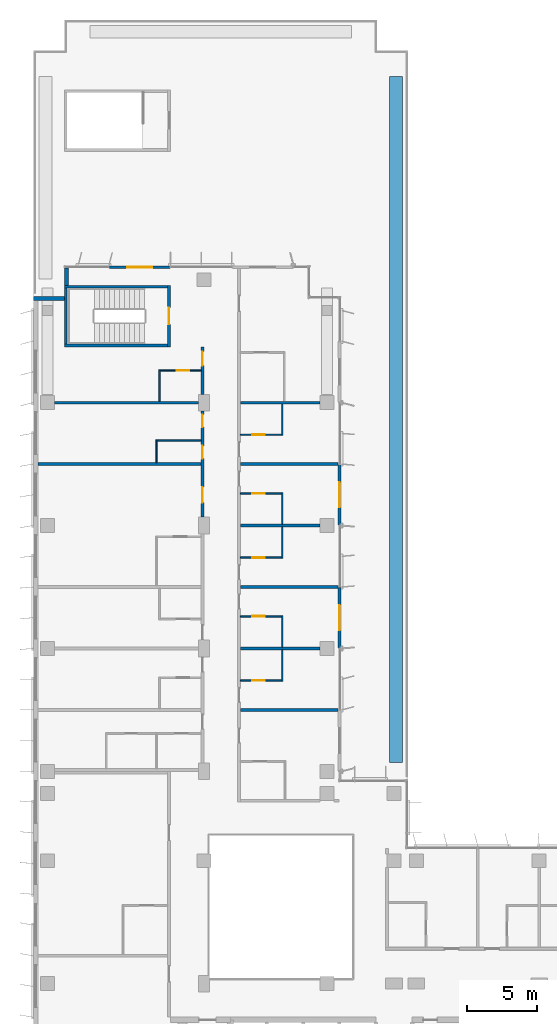
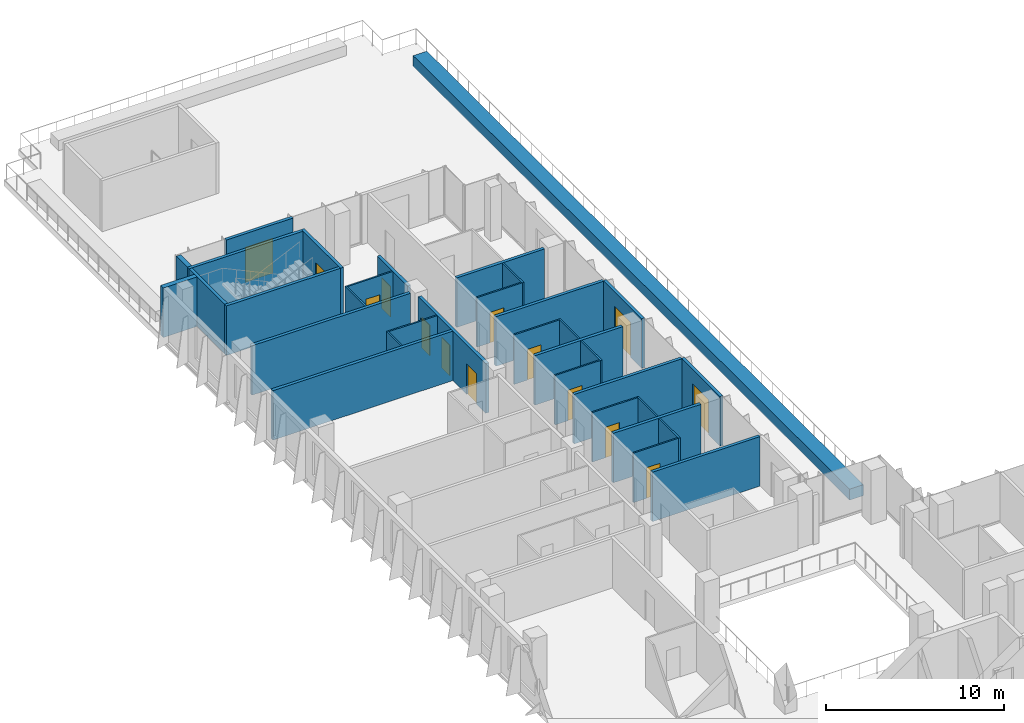
# One storey, part 16 of 22: 34 walls, 14 doors, 14 openings.
"""IFC4 building model written with IfcOpenShell, lengths in metres."""

from ifc_helpers import new_model, si_unit, direction, frame, frame_2d, origin, place, context, subcontext, project, spatial, rectangle, extrude, material, layer, layer_set, type_object, element, fill, save


model = new_model("IFC4")

# Units and contexts
model_context = context("Model", 3, precision=1e-05, world=origin(), true_north=direction((0.0, 1.0)))
body_context = subcontext(model_context, "Body", "Model", "MODEL_VIEW")
ifc_project = project(units=[si_unit("LENGTHUNIT", "METRE"), si_unit("AREAUNIT", "SQUARE_METRE"), si_unit("VOLUMEUNIT", "CUBIC_METRE"), si_unit("PLANEANGLEUNIT", "RADIAN"), si_unit("MASSUNIT", "GRAM", prefix="KILO")], contexts=[model_context])

# Site, building, storey
site_placement = place(None, origin())
site = spatial("IfcSite", under=ifc_project, at=site_placement, CompositionType="ELEMENT")
building_placement = place(site_placement, origin())
building = spatial("IfcBuilding", under=site, at=building_placement, Name="Kemantara Hotel Tower", CompositionType="ELEMENT")
storey_placement = place(building_placement, frame((0.0, 0.0, 153.10009765625)))
storey = spatial("IfcBuildingStorey", under=building, at=storey_placement, Name="L37", CompositionType="ELEMENT", Elevation=153.10009765625)

# Walls
ifc_material_1 = material(Name="Bronze anodised aluminium cladding on insulated steel stud wall", Category="steel")
ifc_layer_1 = layer(ifc_material_1, 0.300048828125)
ifc_layer_set_1 = layer_set([ifc_layer_1], Name="Bronze anodised aluminium cladding on insulated steel stud wall")
wall_type_1 = type_object("IfcWallType", Name="BRONZE METAL-CLAD EXTERNAL WALL 300", PredefinedType="STANDARD", material=ifc_layer_set_1)
wall_1_placement = place(storey_placement, frame((2.35009765625, 63.449951171875, 0.0), z_axis=(0.0, 0.0, 1.0), x_axis=(0.0, -1.0, 0.0)))
element("IfcWall", 1, at=wall_1_placement, inside=storey, type_object=wall_type_1, Name="EXTERNAL WALL L37 T3-R03", PredefinedType="STANDARD", context=body_context, shape_type="SweptSolid", body=[
    extrude(rectangle(XDim=1.25, YDim=0.300048828125, at=frame_2d((0.625, 0.0))), origin(), (0.0, 0.0, 1.0), 3.39990234375),
])
wall_2_placement = place(storey_placement, frame((2.199951171875, 61.25, 0.0), z_axis=(0.0, 0.0, 1.0), x_axis=(-1.0, 0.0, 0.0)))
element("IfcWall", 2, at=wall_2_placement, inside=storey, type_object=wall_type_1, Name="EXTERNAL WALL L37 T3-R04", PredefinedType="STANDARD", context=body_context, shape_type="SweptSolid", body=[
    extrude(rectangle(XDim=2.199951171875, YDim=0.300048828125, at=frame_2d((1.10009765625, 0.0))), origin(), (0.0, 0.0, 1.0), 3.39990234375),
])

# Wall, openings, doors
ifc_material_2 = material(Name="Gypsum board partition, steel studs and mineral wool, 200 mm", Category="steel")
ifc_layer_2 = layer(ifc_material_2, 0.199951171875)
ifc_layer_set_2 = layer_set([ifc_layer_2], Name="Gypsum board partition, steel studs and mineral wool, 200 mm")
wall_type_2 = type_object("IfcWallType", Name="CORRIDOR WALL 200", PredefinedType="PARTITIONING", material=ifc_layer_set_2)
wall_3_placement = place(storey_placement, frame((12.10009765625, 45.60009765625, 0.0), z_axis=(0.0, 0.0, 1.0), x_axis=(0.0, 1.0, 0.0)))
wall_3 = element("IfcWall", 3, at=wall_3_placement, inside=storey, type_object=wall_type_2, Name="CORRIDOR WALL 200 019", PredefinedType="PARTITIONING", context=body_context, shape_type="SweptSolid", body=[
    extrude(rectangle(XDim=7.599853515625, YDim=0.199951171875, at=frame_2d((3.7998046875, 0.0))), origin(), (0.0, 0.0, 1.0), 3.39990234375),
])
opening_1_placement = place(wall_3_placement, frame((1.0498046875, 0.0, 0.0)))
opening_1 = element("IfcOpeningElement", 4, at=opening_1_placement, cuts=wall_3, Name="Opening F17-032", PredefinedType="OPENING", context=body_context, shape_type="SweptSolid", body=[
    extrude(rectangle(XDim=1.10009765625, YDim=2.10009765625, at=frame_2d((0.550048828125, 1.050048828125))), frame((0.0, 0.10986328125, 0.0), z_axis=(0.0, -1.0, 0.0), x_axis=(1.0, 0.0, 0.0)), (0.0, 0.0, 1.0), 0.219970703125),
])
opening_2_placement = place(wall_3_placement, frame((6.449951171875, 0.0, 0.0)))
opening_2 = element("IfcOpeningElement", 5, at=opening_2_placement, cuts=wall_3, Name="Opening F17-034", PredefinedType="OPENING", context=body_context, shape_type="SweptSolid", body=[
    extrude(rectangle(XDim=0.89990234375, YDim=2.10009765625, at=frame_2d((0.449951171875, 1.050048828125))), frame((0.0, 0.10986328125, 0.0), z_axis=(0.0, -1.0, 0.0), x_axis=(1.0, 0.0, 0.0)), (0.0, 0.0, 1.0), 0.219970703125),
])
opening_3_placement = place(wall_3_placement, frame((4.199951171875, 0.0, 0.0)))
opening_3 = element("IfcOpeningElement", 6, at=opening_3_placement, cuts=wall_3, Name="Opening F17-035", PredefinedType="OPENING", context=body_context, shape_type="SweptSolid", body=[
    extrude(rectangle(XDim=0.89990234375, YDim=2.10009765625, at=frame_2d((0.449951171875, 1.050048828125))), frame((0.0, 0.10986328125, 0.0), z_axis=(0.0, -1.0, 0.0), x_axis=(1.0, 0.0, 0.0)), (0.0, 0.0, 1.0), 0.219970703125),
])
ifc_material_3 = material(Name="Steel door leaf with steel frame", Category="steel")
door_type_1 = type_object("IfcDoorType", Name="SERVICE ROOM DOOR 900 X 2100 FD60", OperationType="NOTDEFINED", PredefinedType="DOOR", material=ifc_material_3)
door_1_placement = place(opening_2_placement, origin())
door_1 = element("IfcDoor", 7, at=door_1_placement, inside=storey, type_object=door_type_1, Name="SERVICE ROOM DOOR F17-034", OperationType="SINGLE_SWING_RIGHT", OverallHeight=2.10009765625, OverallWidth=0.89990234375, PredefinedType="DOOR", context=body_context, shape_type="SweptSolid", body=[
    extrude(rectangle(XDim=0.89990234375, YDim=2.10009765625, at=frame_2d((0.449951171875, 1.050048828125))), frame((0.0, 0.02490234375, 0.0), z_axis=(0.0, -1.0, 0.0), x_axis=(1.0, 0.0, 0.0)), (0.0, 0.0, 1.0), 0.050048828125),
])
fill(opening_2, door_1)
door_2_placement = place(opening_3_placement, origin())
door_2 = element("IfcDoor", 8, at=door_2_placement, inside=storey, type_object=door_type_1, Name="SERVICE ROOM DOOR F17-035", OperationType="SINGLE_SWING_LEFT", OverallHeight=2.10009765625, OverallWidth=0.89990234375, PredefinedType="DOOR", context=body_context, shape_type="SweptSolid", body=[
    extrude(rectangle(XDim=0.89990234375, YDim=2.10009765625, at=frame_2d((0.449951171875, 1.050048828125))), frame((0.0, 0.02490234375, 0.0), z_axis=(0.0, -1.0, 0.0), x_axis=(1.0, 0.0, 0.0)), (0.0, 0.0, 1.0), 0.050048828125),
])
fill(opening_3, door_2)
ifc_material_4 = material(Name="Hardwood veneer door leaf with steel frame", Category="steel")
door_type_2 = type_object("IfcDoorType", Name="SUITE ENTRANCE DOOR 1100 X 2100 FD30S", OperationType="NOTDEFINED", PredefinedType="DOOR", material=ifc_material_4)
door_3_placement = place(opening_1_placement, origin())
door_3 = element("IfcDoor", 9, at=door_3_placement, inside=storey, type_object=door_type_2, Name="SUITE ENTRANCE DOOR F17-032", OperationType="SINGLE_SWING_RIGHT", OverallHeight=2.10009765625, OverallWidth=1.10009765625, PredefinedType="DOOR", context=body_context, shape_type="SweptSolid", body=[
    extrude(rectangle(XDim=1.10009765625, YDim=2.10009765625, at=frame_2d((0.550048828125, 1.050048828125))), frame((0.0, 0.02490234375, 0.0), z_axis=(0.0, -1.0, 0.0), x_axis=(1.0, 0.0, 0.0)), (0.0, 0.0, 1.0), 0.050048828125),
])
fill(opening_1, door_3)

# Wall, opening, door
wall_4_placement = place(storey_placement, frame((12.10009765625, 54.400146484375, 0.0), z_axis=(0.0, 0.0, 1.0), x_axis=(0.0, 1.0, 0.0)))
wall_4 = element("IfcWall", 10, at=wall_4_placement, inside=storey, type_object=wall_type_2, Name="CORRIDOR WALL 200 020", PredefinedType="PARTITIONING", context=body_context, shape_type="SweptSolid", body=[
    extrude(rectangle(XDim=3.39990234375, YDim=0.199951171875, at=frame_2d((1.699951171875, 0.0))), origin(), (0.0, 0.0, 1.0), 3.39990234375),
])
opening_4_placement = place(wall_4_placement, frame((2.0498046875, 0.0, 0.0)))
opening_4 = element("IfcOpeningElement", 11, at=opening_4_placement, cuts=wall_4, Name="Opening F17-036", PredefinedType="OPENING", context=body_context, shape_type="SweptSolid", body=[
    extrude(rectangle(XDim=1.0, YDim=2.10009765625, at=frame_2d((0.5, 1.050048828125))), frame((0.0, 0.10986328125, 0.0), z_axis=(0.0, -1.0, 0.0), x_axis=(1.0, 0.0, 0.0)), (0.0, 0.0, 1.0), 0.219970703125),
])
door_type_3 = type_object("IfcDoorType", Name="GUEST ROOM DOOR 1000 X 2100 FD30S", OperationType="NOTDEFINED", PredefinedType="DOOR", material=ifc_material_4)
door_4_placement = place(opening_4_placement, origin())
door_4 = element("IfcDoor", 12, at=door_4_placement, inside=storey, type_object=door_type_3, Name="GUEST ROOM DOOR F17-036", OperationType="SINGLE_SWING_RIGHT", OverallHeight=2.10009765625, OverallWidth=1.0, PredefinedType="DOOR", context=body_context, shape_type="SweptSolid", body=[
    extrude(rectangle(XDim=1.0, YDim=2.10009765625, at=frame_2d((0.5, 1.050048828125))), frame((0.0, 0.02490234375, 0.0), z_axis=(0.0, -1.0, 0.0), x_axis=(1.0, 0.0, 0.0)), (0.0, 0.0, 1.0), 0.050048828125),
])
fill(opening_4, door_4)

ifc_material_5 = material(Name="Concrete fc 40 MPa", Category="concrete")
ifc_layer_3 = layer(ifc_material_5, 0.199951171875)
ifc_layer_set_3 = layer_set([ifc_layer_3], Name="Concrete fc 40 MPa")
wall_type_3 = type_object("IfcWallType", Name="Concrete stair wall 200 mm", PredefinedType="SHEAR", material=ifc_layer_set_3)
wall_5_placement = place(storey_placement, frame((9.699951171875, 57.800048828125, 0.0), z_axis=(0.0, 0.0, 1.0), x_axis=(0.0, 1.0, 0.0)))
wall_5 = element("IfcWall", 13, at=wall_5_placement, inside=storey, type_object=wall_type_3, Name="Stair ST4 enclosure wall with door", PredefinedType="SHEAR", context=body_context, shape_type="SweptSolid", body=[
    extrude(rectangle(XDim=4.39990234375, YDim=0.199951171875, at=frame_2d((2.199951171875, 0.0))), origin(), (0.0, 0.0, 1.0), 3.39990234375),
])
opening_5_placement = place(wall_5_placement, frame((1.60009765625, 0.0, 0.0)))
opening_5 = element("IfcOpeningElement", 14, at=opening_5_placement, cuts=wall_5, Name="Opening ST4-C", PredefinedType="OPENING", context=body_context, shape_type="SweptSolid", body=[
    extrude(rectangle(XDim=1.199951171875, YDim=2.10009765625, at=frame_2d((0.60009765625, 1.050048828125))), frame((0.0, 0.10986328125, 0.0), z_axis=(0.0, -1.0, 0.0), x_axis=(1.0, 0.0, 0.0)), (0.0, 0.0, 1.0), 0.219970703125),
])
ifc_material_6 = material(Name="Steel fire door", Category="steel")
door_type_4 = type_object("IfcDoorType", Name="Fire door FD90 1200 x 2100", OperationType="NOTDEFINED", PredefinedType="DOOR", material=ifc_material_6)
door_5_placement = place(opening_5_placement, origin())
door_5 = element("IfcDoor", 15, at=door_5_placement, inside=storey, type_object=door_type_4, Name="Stair ST4 door", OperationType="SINGLE_SWING_RIGHT", OverallHeight=2.10009765625, OverallWidth=1.199951171875, PredefinedType="DOOR", context=body_context, shape_type="SweptSolid", body=[
    extrude(rectangle(XDim=1.199951171875, YDim=2.10009765625, at=frame_2d((0.60009765625, 1.050048828125))), frame((0.0, 0.02490234375, 0.0), z_axis=(0.0, -1.0, 0.0), x_axis=(1.0, 0.0, 0.0)), (0.0, 0.0, 1.0), 0.050048828125),
])
fill(opening_5, door_5)

# Walls
for number, where, z_axis, x_axis, name in (
    (16, (2.199951171875, 62.10009765625, 0.0), (0.0, 0.0, 1.0), (1.0, 0.0, 0.0), "Stair ST4 enclosure wall N"),
    (17, (2.199951171875, 57.89990234375, 0.0), (0.0, 0.0, 1.0), (1.0, 0.0, 0.0), "Stair ST4 enclosure wall S"),
):
    element("IfcWall", number, at=place(storey_placement, frame(where, z_axis=z_axis, x_axis=x_axis)), inside=storey, type_object=wall_type_3, Name=name, PredefinedType="SHEAR", context=body_context, shape_type="SweptSolid", body=[
        extrude(rectangle(XDim=7.400146484375, YDim=0.199951171875, at=frame_2d((3.7001953125, 0.0))), origin(), (0.0, 0.0, 1.0), 3.39990234375),
    ])
wall_6_placement = place(storey_placement, frame((2.300048828125, 58.0, 0.0), z_axis=(0.0, 0.0, 1.0), x_axis=(0.0, 1.0, 0.0)))
element("IfcWall", 18, at=wall_6_placement, inside=storey, type_object=wall_type_3, Name="Stair ST4 enclosure wall W", PredefinedType="SHEAR", context=body_context, shape_type="SweptSolid", body=[
    extrude(rectangle(XDim=4.0, YDim=0.199951171875, at=frame_2d((2.0, 0.0))), origin(), (0.0, 0.0, 1.0), 3.39990234375),
])
ifc_layer_4 = layer(ifc_material_2, 0.199951171875)
ifc_layer_set_4 = layer_set([ifc_layer_4], Name="Gypsum board partition, steel studs and mineral wool, 200 mm")
wall_type_4 = type_object("IfcWallType", Name="GUEST ROOM PARTY WALL 200", PredefinedType="PARTITIONING", material=ifc_layer_set_4)
wall_7_placement = place(storey_placement, frame((14.800048828125, 31.800048828125, 0.0), z_axis=(0.0, 0.0, 1.0), x_axis=(1.0, 0.0, 0.0)))
element("IfcWall", 19, at=wall_7_placement, inside=storey, type_object=wall_type_4, Name="GUEST ROOM PARTY WALL 200 023", PredefinedType="PARTITIONING", context=body_context, shape_type="SweptSolid", body=[
    extrude(rectangle(XDim=6.999755859375, YDim=0.199951171875, at=frame_2d((3.5, 0.0))), origin(), (0.0, 0.0, 1.0), 3.39990234375),
])
wall_8_placement = place(storey_placement, frame((14.800048828125, 36.199951171875, 0.0), z_axis=(0.0, 0.0, 1.0), x_axis=(1.0, 0.0, 0.0)))
element("IfcWall", 20, at=wall_8_placement, inside=storey, type_object=wall_type_4, Name="GUEST ROOM PARTY WALL 200 025", PredefinedType="PARTITIONING", context=body_context, shape_type="SweptSolid", body=[
    extrude(rectangle(XDim=5.699951171875, YDim=0.199951171875, at=frame_2d((2.85009765625, 0.0))), origin(), (0.0, 0.0, 1.0), 3.39990234375),
])
wall_9_placement = place(storey_placement, frame((14.800048828125, 40.60009765625, 0.0), z_axis=(0.0, 0.0, 1.0), x_axis=(1.0, 0.0, 0.0)))
element("IfcWall", 21, at=wall_9_placement, inside=storey, type_object=wall_type_4, Name="GUEST ROOM PARTY WALL 200 027", PredefinedType="PARTITIONING", context=body_context, shape_type="SweptSolid", body=[
    extrude(rectangle(XDim=6.999755859375, YDim=0.199951171875, at=frame_2d((3.5, 0.0))), origin(), (0.0, 0.0, 1.0), 3.39990234375),
])
wall_10_placement = place(storey_placement, frame((0.31005859375, 49.39990234375, 0.0), z_axis=(0.0, 0.0, 1.0), x_axis=(1.0, 0.0, 0.0)))
element("IfcWall", 22, at=wall_10_placement, inside=storey, type_object=wall_type_4, Name="GUEST ROOM PARTY WALL 200 028", PredefinedType="PARTITIONING", context=body_context, shape_type="SweptSolid", body=[
    extrude(rectangle(XDim=11.68994140625, YDim=0.199951171875, at=frame_2d((5.844970703125, 0.0))), origin(), (0.0, 0.0, 1.0), 3.39990234375),
])
wall_11_placement = place(storey_placement, frame((14.800048828125, 49.39990234375, 0.0), z_axis=(0.0, 0.0, 1.0), x_axis=(1.0, 0.0, 0.0)))
element("IfcWall", 23, at=wall_11_placement, inside=storey, type_object=wall_type_4, Name="GUEST ROOM PARTY WALL 200 029", PredefinedType="PARTITIONING", context=body_context, shape_type="SweptSolid", body=[
    extrude(rectangle(XDim=6.999755859375, YDim=0.199951171875, at=frame_2d((3.5, 0.0))), origin(), (0.0, 0.0, 1.0), 3.39990234375),
])
wall_12_placement = place(storey_placement, frame((1.5, 53.800048828125, 0.0), z_axis=(0.0, 0.0, 1.0), x_axis=(1.0, 0.0, 0.0)))
element("IfcWall", 24, at=wall_12_placement, inside=storey, type_object=wall_type_4, Name="GUEST ROOM PARTY WALL 200 030", PredefinedType="PARTITIONING", context=body_context, shape_type="SweptSolid", body=[
    extrude(rectangle(XDim=10.2998046875, YDim=0.199951171875, at=frame_2d((5.14990234375, 0.0))), origin(), (0.0, 0.0, 1.0), 3.39990234375),
])
for number, where, z_axis, x_axis, name in (
    (25, (14.800048828125, 53.800048828125, 0.0), (0.0, 0.0, 1.0), (1.0, 0.0, 0.0), "GUEST ROOM PARTY WALL 200 031"),
    (26, (14.800048828125, 45.0, 0.0), (0.0, 0.0, 1.0), (1.0, 0.0, 0.0), "GUEST ROOM PARTY WALL 200 035"),
):
    element("IfcWall", number, at=place(storey_placement, frame(where, z_axis=z_axis, x_axis=x_axis)), inside=storey, type_object=wall_type_4, Name=name, PredefinedType="PARTITIONING", context=body_context, shape_type="SweptSolid", body=[
        extrude(rectangle(XDim=5.699951171875, YDim=0.199951171875, at=frame_2d((2.85009765625, 0.0))), origin(), (0.0, 0.0, 1.0), 3.39990234375),
    ])
ifc_material_7 = material(Name="Concrete K-350 (fc 29 MPa)", Category="concrete")
ifc_layer_5 = layer(ifc_material_7, 0.89990234375)
ifc_layer_set_5 = layer_set([ifc_layer_5], Name="Concrete K-350 (fc 29 MPa)")
wall_type_5 = type_object("IfcWallType", Name="PLANTER, RAISED CONCRETE TROUGH 900x700", PredefinedType="STANDARD", material=ifc_layer_set_5)
wall_13_placement = place(storey_placement, frame((25.949951171875, 77.14990234375, -0.050048828125), z_axis=(0.0, 0.0, 1.0), x_axis=(0.0, -1.0, 0.0)))
element("IfcWall", 27, at=wall_13_placement, inside=storey, type_object=wall_type_5, Name="PLANTER TERRACE-S2-1.3", PredefinedType="STANDARD", context=body_context, shape_type="SweptSolid", body=[
    extrude(rectangle(XDim=49.099853515625, YDim=0.89990234375, at=frame_2d((24.5498046875, 0.0))), origin(), (0.0, 0.0, 1.0), 0.75),
])
ifc_material_8 = material(Name="Gypsum board partition on steel studs, 100 mm", Category="steel")
ifc_layer_6 = layer(ifc_material_8, 0.10009765625)
ifc_layer_set_6 = layer_set([ifc_layer_6], Name="Gypsum board partition on steel studs, 100 mm")
wall_type_6 = type_object("IfcWallType", Name="ROOM PARTITION 100", PredefinedType="PARTITIONING", material=ifc_layer_set_6)
wall_14_placement = place(storey_placement, frame((8.800048828125, 49.5, 0.0), z_axis=(0.0, 0.0, 1.0), x_axis=(0.0, 1.0, 0.0)))
element("IfcWall", 28, at=wall_14_placement, inside=storey, type_object=wall_type_6, Name="ROOM PARTITION 100 064", PredefinedType="PARTITIONING", context=body_context, shape_type="SweptSolid", body=[
    extrude(rectangle(XDim=1.64990234375, YDim=0.10009765625, at=frame_2d((0.824951171875, 0.0))), origin(), (0.0, 0.0, 1.0), 3.39990234375),
])
wall_15_placement = place(storey_placement, frame((9.0, 53.89990234375, 0.0), z_axis=(0.0, 0.0, 1.0), x_axis=(0.0, 1.0, 0.0)))
element("IfcWall", 29, at=wall_15_placement, inside=storey, type_object=wall_type_6, Name="ROOM PARTITION 100 068", PredefinedType="PARTITIONING", context=body_context, shape_type="SweptSolid", body=[
    extrude(rectangle(XDim=2.25, YDim=0.10009765625, at=frame_2d((1.125, 0.0))), origin(), (0.0, 0.0, 1.0), 3.39990234375),
])
wall_16_placement = place(storey_placement, frame((8.85009765625, 51.10009765625, 0.0), z_axis=(0.0, 0.0, 1.0), x_axis=(1.0, 0.0, 0.0)))
element("IfcWall", 30, at=wall_16_placement, inside=storey, type_object=wall_type_6, Name="ROOM PARTITION 100 072", PredefinedType="PARTITIONING", context=body_context, shape_type="SweptSolid", body=[
    extrude(rectangle(XDim=3.14990234375, YDim=0.10009765625, at=frame_2d((1.574951171875, 0.0))), origin(), (0.0, 0.0, 1.0), 3.39990234375),
])

# Wall, opening, door
wall_17_placement = place(storey_placement, frame((12.0, 56.10009765625, 0.0), z_axis=(0.0, 0.0, 1.0), x_axis=(-1.0, 0.0, 0.0)))
wall_17 = element("IfcWall", 31, at=wall_17_placement, inside=storey, type_object=wall_type_6, Name="ROOM PARTITION 100 073", PredefinedType="PARTITIONING", context=body_context, shape_type="SweptSolid", body=[
    extrude(rectangle(XDim=2.949951171875, YDim=0.10009765625, at=frame_2d((1.47509765625, 0.0))), origin(), (0.0, 0.0, 1.0), 3.39990234375),
])
opening_6_placement = place(wall_17_placement, frame((0.85009765625, 0.0, 0.0)))
opening_6 = element("IfcOpeningElement", 32, at=opening_6_placement, cuts=wall_17, Name="Opening F17-037", PredefinedType="OPENING", context=body_context, shape_type="SweptSolid", body=[
    extrude(rectangle(XDim=0.89990234375, YDim=2.10009765625, at=frame_2d((0.449951171875, 1.050048828125))), frame((0.0, 0.06005859375, 0.0), z_axis=(0.0, -1.0, 0.0), x_axis=(1.0, 0.0, 0.0)), (0.0, 0.0, 1.0), 0.1201171875),
])
door_type_5 = type_object("IfcDoorType", Name="BATHROOM DOOR 900 X 2100", OperationType="NOTDEFINED", PredefinedType="DOOR", material=ifc_material_4)
door_6_placement = place(opening_6_placement, origin())
door_6 = element("IfcDoor", 33, at=door_6_placement, inside=storey, type_object=door_type_5, Name="BATHROOM DOOR F17-037", OperationType="SINGLE_SWING_LEFT", OverallHeight=2.10009765625, OverallWidth=0.89990234375, PredefinedType="DOOR", context=body_context, shape_type="SweptSolid", body=[
    extrude(rectangle(XDim=0.89990234375, YDim=2.10009765625, at=frame_2d((0.449951171875, 1.050048828125))), frame((0.0, 0.02490234375, 0.0), z_axis=(0.0, -1.0, 0.0), x_axis=(1.0, 0.0, 0.0)), (0.0, 0.0, 1.0), 0.050048828125),
])
fill(opening_6, door_6)

# Walls
for number, where, z_axis, x_axis, name in (
    (34, (17.800048828125, 33.85009765625, 0.0), (0.0, 0.0, 1.0), (0.0, 1.0, 0.0), "ROOM PARTITION 100 076"),
    (35, (17.800048828125, 36.300048828125, 0.0), (0.0, 0.0, 1.0), (0.0, 1.0, 0.0), "ROOM PARTITION 100 077"),
    (36, (17.800048828125, 42.64990234375, 0.0), (0.0, 0.0, 1.0), (0.0, 1.0, 0.0), "ROOM PARTITION 100 078"),
    (37, (17.800048828125, 45.10009765625, 0.0), (0.0, 0.0, 1.0), (0.0, 1.0, 0.0), "ROOM PARTITION 100 079"),
    (38, (17.800048828125, 51.449951171875, 0.0), (0.0, 0.0, 1.0), (0.0, 1.0, 0.0), "ROOM PARTITION 100 080"),
):
    element("IfcWall", number, at=place(storey_placement, frame(where, z_axis=z_axis, x_axis=x_axis)), inside=storey, type_object=wall_type_6, Name=name, PredefinedType="PARTITIONING", context=body_context, shape_type="SweptSolid", body=[
        extrude(rectangle(XDim=2.25, YDim=0.10009765625, at=frame_2d((1.125, 0.0))), origin(), (0.0, 0.0, 1.0), 3.39990234375),
    ])

# Wall, opening, door
wall_18_placement = place(storey_placement, frame((14.800048828125, 33.89990234375, 0.0), z_axis=(0.0, 0.0, 1.0), x_axis=(1.0, 0.0, 0.0)))
wall_18 = element("IfcWall", 39, at=wall_18_placement, inside=storey, type_object=wall_type_6, Name="ROOM PARTITION 100 081", PredefinedType="PARTITIONING", context=body_context, shape_type="SweptSolid", body=[
    extrude(rectangle(XDim=2.949951171875, YDim=0.10009765625, at=frame_2d((1.47509765625, 0.0))), origin(), (0.0, 0.0, 1.0), 3.39990234375),
])
opening_7_placement = place(wall_18_placement, frame((0.85009765625, 0.0, 0.0)))
opening_7 = element("IfcOpeningElement", 40, at=opening_7_placement, cuts=wall_18, Name="Opening F17-041", PredefinedType="OPENING", context=body_context, shape_type="SweptSolid", body=[
    extrude(rectangle(XDim=0.89990234375, YDim=2.10009765625, at=frame_2d((0.449951171875, 1.050048828125))), frame((0.0, 0.06005859375, 0.0), z_axis=(0.0, -1.0, 0.0), x_axis=(1.0, 0.0, 0.0)), (0.0, 0.0, 1.0), 0.1201171875),
])
door_7_placement = place(opening_7_placement, origin())
door_7 = element("IfcDoor", 41, at=door_7_placement, inside=storey, type_object=door_type_5, Name="BATHROOM DOOR F17-041", OperationType="SINGLE_SWING_LEFT", OverallHeight=2.10009765625, OverallWidth=0.89990234375, PredefinedType="DOOR", context=body_context, shape_type="SweptSolid", body=[
    extrude(rectangle(XDim=0.89990234375, YDim=2.10009765625, at=frame_2d((0.449951171875, 1.050048828125))), frame((0.0, 0.02490234375, 0.0), z_axis=(0.0, -1.0, 0.0), x_axis=(1.0, 0.0, 0.0)), (0.0, 0.0, 1.0), 0.050048828125),
])
fill(opening_7, door_7)

wall_19_placement = place(storey_placement, frame((17.75, 38.5, 0.0), z_axis=(0.0, 0.0, 1.0), x_axis=(-1.0, 0.0, 0.0)))
wall_19 = element("IfcWall", 42, at=wall_19_placement, inside=storey, type_object=wall_type_6, Name="ROOM PARTITION 100 082", PredefinedType="PARTITIONING", context=body_context, shape_type="SweptSolid", body=[
    extrude(rectangle(XDim=2.949951171875, YDim=0.10009765625, at=frame_2d((1.47509765625, 0.0))), origin(), (0.0, 0.0, 1.0), 3.39990234375),
])
opening_8_placement = place(wall_19_placement, frame((1.199951171875, 0.0, 0.0)))
opening_8 = element("IfcOpeningElement", 43, at=opening_8_placement, cuts=wall_19, Name="Opening F17-043", PredefinedType="OPENING", context=body_context, shape_type="SweptSolid", body=[
    extrude(rectangle(XDim=0.89990234375, YDim=2.10009765625, at=frame_2d((0.449951171875, 1.050048828125))), frame((0.0, 0.06005859375, 0.0), z_axis=(0.0, -1.0, 0.0), x_axis=(1.0, 0.0, 0.0)), (0.0, 0.0, 1.0), 0.1201171875),
])
door_8_placement = place(opening_8_placement, origin())
door_8 = element("IfcDoor", 44, at=door_8_placement, inside=storey, type_object=door_type_5, Name="BATHROOM DOOR F17-043", OperationType="SINGLE_SWING_RIGHT", OverallHeight=2.10009765625, OverallWidth=0.89990234375, PredefinedType="DOOR", context=body_context, shape_type="SweptSolid", body=[
    extrude(rectangle(XDim=0.89990234375, YDim=2.10009765625, at=frame_2d((0.449951171875, 1.050048828125))), frame((0.0, 0.02490234375, 0.0), z_axis=(0.0, -1.0, 0.0), x_axis=(1.0, 0.0, 0.0)), (0.0, 0.0, 1.0), 0.050048828125),
])
fill(opening_8, door_8)

wall_20_placement = place(storey_placement, frame((14.800048828125, 42.699951171875, 0.0), z_axis=(0.0, 0.0, 1.0), x_axis=(1.0, 0.0, 0.0)))
wall_20 = element("IfcWall", 45, at=wall_20_placement, inside=storey, type_object=wall_type_6, Name="ROOM PARTITION 100 083", PredefinedType="PARTITIONING", context=body_context, shape_type="SweptSolid", body=[
    extrude(rectangle(XDim=2.949951171875, YDim=0.10009765625, at=frame_2d((1.47509765625, 0.0))), origin(), (0.0, 0.0, 1.0), 3.39990234375),
])
opening_9_placement = place(wall_20_placement, frame((0.85009765625, 0.0, 0.0)))
opening_9 = element("IfcOpeningElement", 46, at=opening_9_placement, cuts=wall_20, Name="Opening F17-045", PredefinedType="OPENING", context=body_context, shape_type="SweptSolid", body=[
    extrude(rectangle(XDim=0.89990234375, YDim=2.10009765625, at=frame_2d((0.449951171875, 1.050048828125))), frame((0.0, 0.06005859375, 0.0), z_axis=(0.0, -1.0, 0.0), x_axis=(1.0, 0.0, 0.0)), (0.0, 0.0, 1.0), 0.1201171875),
])
door_9_placement = place(opening_9_placement, origin())
door_9 = element("IfcDoor", 47, at=door_9_placement, inside=storey, type_object=door_type_5, Name="BATHROOM DOOR F17-045", OperationType="SINGLE_SWING_LEFT", OverallHeight=2.10009765625, OverallWidth=0.89990234375, PredefinedType="DOOR", context=body_context, shape_type="SweptSolid", body=[
    extrude(rectangle(XDim=0.89990234375, YDim=2.10009765625, at=frame_2d((0.449951171875, 1.050048828125))), frame((0.0, 0.02490234375, 0.0), z_axis=(0.0, -1.0, 0.0), x_axis=(1.0, 0.0, 0.0)), (0.0, 0.0, 1.0), 0.050048828125),
])
fill(opening_9, door_9)

wall_21_placement = place(storey_placement, frame((17.75, 47.300048828125, 0.0), z_axis=(0.0, 0.0, 1.0), x_axis=(-1.0, 0.0, 0.0)))
wall_21 = element("IfcWall", 48, at=wall_21_placement, inside=storey, type_object=wall_type_6, Name="ROOM PARTITION 100 084", PredefinedType="PARTITIONING", context=body_context, shape_type="SweptSolid", body=[
    extrude(rectangle(XDim=2.949951171875, YDim=0.10009765625, at=frame_2d((1.47509765625, 0.0))), origin(), (0.0, 0.0, 1.0), 3.39990234375),
])
opening_10_placement = place(wall_21_placement, frame((1.199951171875, 0.0, 0.0)))
opening_10 = element("IfcOpeningElement", 49, at=opening_10_placement, cuts=wall_21, Name="Opening F17-047", PredefinedType="OPENING", context=body_context, shape_type="SweptSolid", body=[
    extrude(rectangle(XDim=0.89990234375, YDim=2.10009765625, at=frame_2d((0.449951171875, 1.050048828125))), frame((0.0, 0.06005859375, 0.0), z_axis=(0.0, -1.0, 0.0), x_axis=(1.0, 0.0, 0.0)), (0.0, 0.0, 1.0), 0.1201171875),
])
door_10_placement = place(opening_10_placement, origin())
door_10 = element("IfcDoor", 50, at=door_10_placement, inside=storey, type_object=door_type_5, Name="BATHROOM DOOR F17-047", OperationType="SINGLE_SWING_RIGHT", OverallHeight=2.10009765625, OverallWidth=0.89990234375, PredefinedType="DOOR", context=body_context, shape_type="SweptSolid", body=[
    extrude(rectangle(XDim=0.89990234375, YDim=2.10009765625, at=frame_2d((0.449951171875, 1.050048828125))), frame((0.0, 0.02490234375, 0.0), z_axis=(0.0, -1.0, 0.0), x_axis=(1.0, 0.0, 0.0)), (0.0, 0.0, 1.0), 0.050048828125),
])
fill(opening_10, door_10)

wall_22_placement = place(storey_placement, frame((14.800048828125, 51.5, 0.0), z_axis=(0.0, 0.0, 1.0), x_axis=(1.0, 0.0, 0.0)))
wall_22 = element("IfcWall", 51, at=wall_22_placement, inside=storey, type_object=wall_type_6, Name="ROOM PARTITION 100 085", PredefinedType="PARTITIONING", context=body_context, shape_type="SweptSolid", body=[
    extrude(rectangle(XDim=2.949951171875, YDim=0.10009765625, at=frame_2d((1.47509765625, 0.0))), origin(), (0.0, 0.0, 1.0), 3.39990234375),
])
opening_11_placement = place(wall_22_placement, frame((0.85009765625, 0.0, 0.0)))
opening_11 = element("IfcOpeningElement", 52, at=opening_11_placement, cuts=wall_22, Name="Opening F17-049", PredefinedType="OPENING", context=body_context, shape_type="SweptSolid", body=[
    extrude(rectangle(XDim=0.89990234375, YDim=2.10009765625, at=frame_2d((0.449951171875, 1.050048828125))), frame((0.0, 0.06005859375, 0.0), z_axis=(0.0, -1.0, 0.0), x_axis=(1.0, 0.0, 0.0)), (0.0, 0.0, 1.0), 0.1201171875),
])
door_11_placement = place(opening_11_placement, origin())
door_11 = element("IfcDoor", 53, at=door_11_placement, inside=storey, type_object=door_type_5, Name="BATHROOM DOOR F17-049", OperationType="SINGLE_SWING_LEFT", OverallHeight=2.10009765625, OverallWidth=0.89990234375, PredefinedType="DOOR", context=body_context, shape_type="SweptSolid", body=[
    extrude(rectangle(XDim=0.89990234375, YDim=2.10009765625, at=frame_2d((0.449951171875, 1.050048828125))), frame((0.0, 0.02490234375, 0.0), z_axis=(0.0, -1.0, 0.0), x_axis=(1.0, 0.0, 0.0)), (0.0, 0.0, 1.0), 0.050048828125),
])
fill(opening_11, door_11)

ifc_material_9 = material(Name="Bronze ceramic cladding on insulated steel stud wall", Category="steel")
ifc_layer_7 = layer(ifc_material_9, 0.199951171875)
ifc_layer_set_7 = layer_set([ifc_layer_7], Name="Bronze ceramic cladding on insulated steel stud wall")
wall_type_7 = type_object("IfcWallType", Name="TERRACE DOOR BAY WALL 200", PredefinedType="STANDARD", material=ifc_layer_set_7)
wall_23_placement = place(storey_placement, frame((9.77001953125, 63.5, 0.0), z_axis=(0.0, 0.0, 1.0), x_axis=(-1.0, 0.0, 0.0)))
wall_23 = element("IfcWall", 54, at=wall_23_placement, inside=storey, type_object=wall_type_7, Name="TERRACE DOOR BAY WALL L37 T3-R02-2", PredefinedType="STANDARD", context=body_context, shape_type="SweptSolid", body=[
    extrude(rectangle(XDim=4.340087890625, YDim=0.199951171875, at=frame_2d((2.169921875, 0.0))), origin(), (0.0, 0.0, 1.0), 3.39990234375),
])
opening_12_placement = place(wall_23_placement, frame((1.27001953125, 0.0, 0.0)))
opening_12 = element("IfcOpeningElement", 55, at=opening_12_placement, cuts=wall_23, Name="Opening TD-L37-02", PredefinedType="OPENING", context=body_context, shape_type="SweptSolid", body=[
    extrude(rectangle(XDim=1.800048828125, YDim=2.39990234375, at=frame_2d((0.89990234375, 1.199951171875))), frame((0.0, 0.10986328125, 0.0), z_axis=(0.0, -1.0, 0.0), x_axis=(1.0, 0.0, 0.0)), (0.0, 0.0, 1.0), 0.219970703125),
])
ifc_material_10 = material(Name="Toughened tinted glass in bronze anodised aluminium frame", Category="aluminium")
door_type_6 = type_object("IfcDoorType", Name="TERRACE DOOR, DOUBLE LEAF GLAZED 1800x2400", OperationType="DOUBLE_DOOR_SINGLE_SWING", PredefinedType="DOOR", material=ifc_material_10)
door_12_placement = place(opening_12_placement, origin())
door_12 = element("IfcDoor", 56, at=door_12_placement, inside=storey, type_object=door_type_6, Name="TERRACE DOOR L37 T3-R02-2", OperationType="SINGLE_SWING_LEFT", OverallHeight=2.39990234375, OverallWidth=1.800048828125, PredefinedType="DOOR", context=body_context, shape_type="SweptSolid", body=[
    extrude(rectangle(XDim=1.800048828125, YDim=2.39990234375, at=frame_2d((0.89990234375, 1.199951171875))), frame((0.0, 0.02490234375, 0.0), z_axis=(0.0, -1.0, 0.0), x_axis=(1.0, 0.0, 0.0)), (0.0, 0.0, 1.0), 0.050048828125),
])
fill(opening_12, door_12)

wall_24_placement = place(storey_placement, frame((21.89990234375, 36.22998046875, 0.0), z_axis=(0.0, 0.0, 1.0), x_axis=(0.0, 1.0, 0.0)))
wall_24 = element("IfcWall", 57, at=wall_24_placement, inside=storey, type_object=wall_type_7, Name="TERRACE DOOR BAY WALL L37 T3-R17-2", PredefinedType="STANDARD", context=body_context, shape_type="SweptSolid", body=[
    extrude(rectangle(XDim=4.340087890625, YDim=0.199951171875, at=frame_2d((2.169921875, 0.0))), origin(), (0.0, 0.0, 1.0), 3.39990234375),
])
opening_13_placement = place(wall_24_placement, frame((1.27001953125, 0.0, 0.0)))
opening_13 = element("IfcOpeningElement", 58, at=opening_13_placement, cuts=wall_24, Name="Opening TD-L37-02", PredefinedType="OPENING", context=body_context, shape_type="SweptSolid", body=[
    extrude(rectangle(XDim=1.800048828125, YDim=2.39990234375, at=frame_2d((0.89990234375, 1.199951171875))), frame((0.0, 0.10986328125, 0.0), z_axis=(0.0, -1.0, 0.0), x_axis=(1.0, 0.0, 0.0)), (0.0, 0.0, 1.0), 0.219970703125),
])
door_13_placement = place(opening_13_placement, origin())
door_13 = element("IfcDoor", 59, at=door_13_placement, inside=storey, type_object=door_type_6, Name="TERRACE DOOR L37 T3-R17-2", OperationType="SINGLE_SWING_LEFT", OverallHeight=2.39990234375, OverallWidth=1.800048828125, PredefinedType="DOOR", context=body_context, shape_type="SweptSolid", body=[
    extrude(rectangle(XDim=1.800048828125, YDim=2.39990234375, at=frame_2d((0.89990234375, 1.199951171875))), frame((0.0, 0.02490234375, 0.0), z_axis=(0.0, -1.0, 0.0), x_axis=(1.0, 0.0, 0.0)), (0.0, 0.0, 1.0), 0.050048828125),
])
fill(opening_13, door_13)

wall_25_placement = place(storey_placement, frame((21.89990234375, 45.030029296875, 0.0), z_axis=(0.0, 0.0, 1.0), x_axis=(0.0, 1.0, 0.0)))
wall_25 = element("IfcWall", 60, at=wall_25_placement, inside=storey, type_object=wall_type_7, Name="TERRACE DOOR BAY WALL L37 T3-R17-3", PredefinedType="STANDARD", context=body_context, shape_type="SweptSolid", body=[
    extrude(rectangle(XDim=4.340087890625, YDim=0.199951171875, at=frame_2d((2.169921875, 0.0))), origin(), (0.0, 0.0, 1.0), 3.39990234375),
])
opening_14_placement = place(wall_25_placement, frame((1.27001953125, 0.0, 0.0)))
opening_14 = element("IfcOpeningElement", 61, at=opening_14_placement, cuts=wall_25, Name="Opening TD-L37-03", PredefinedType="OPENING", context=body_context, shape_type="SweptSolid", body=[
    extrude(rectangle(XDim=1.800048828125, YDim=2.39990234375, at=frame_2d((0.89990234375, 1.199951171875))), frame((0.0, 0.10986328125, 0.0), z_axis=(0.0, -1.0, 0.0), x_axis=(1.0, 0.0, 0.0)), (0.0, 0.0, 1.0), 0.219970703125),
])
door_14_placement = place(opening_14_placement, origin())
door_14 = element("IfcDoor", 62, at=door_14_placement, inside=storey, type_object=door_type_6, Name="TERRACE DOOR L37 T3-R17-3", OperationType="SINGLE_SWING_LEFT", OverallHeight=2.39990234375, OverallWidth=1.800048828125, PredefinedType="DOOR", context=body_context, shape_type="SweptSolid", body=[
    extrude(rectangle(XDim=1.800048828125, YDim=2.39990234375, at=frame_2d((0.89990234375, 1.199951171875))), frame((0.0, 0.02490234375, 0.0), z_axis=(0.0, -1.0, 0.0), x_axis=(1.0, 0.0, 0.0)), (0.0, 0.0, 1.0), 0.050048828125),
])
fill(opening_14, door_14)

save(model, "model.ifc")
